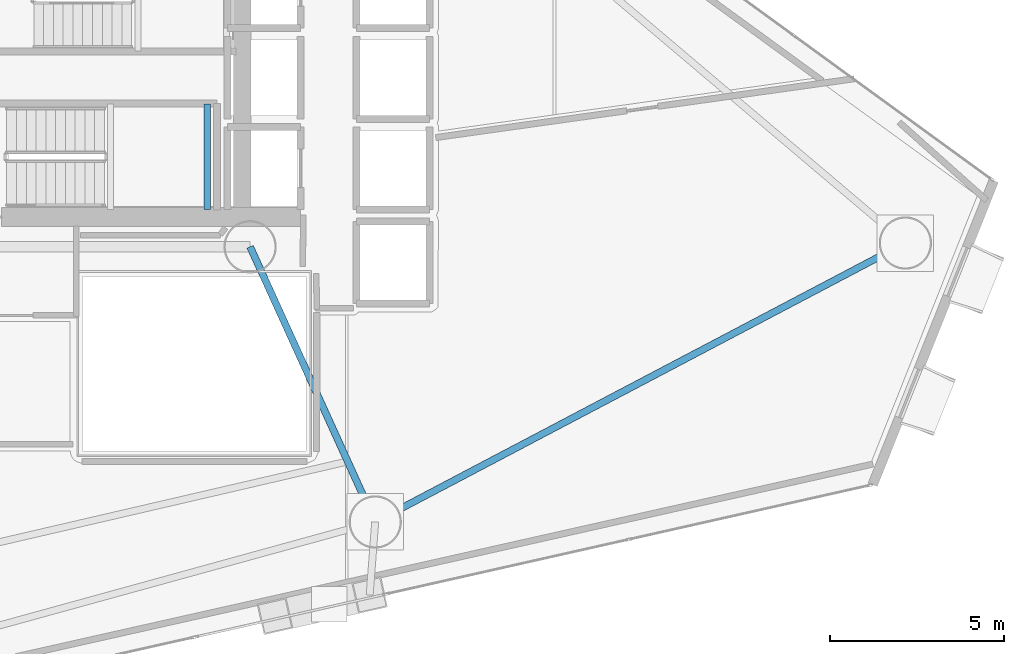
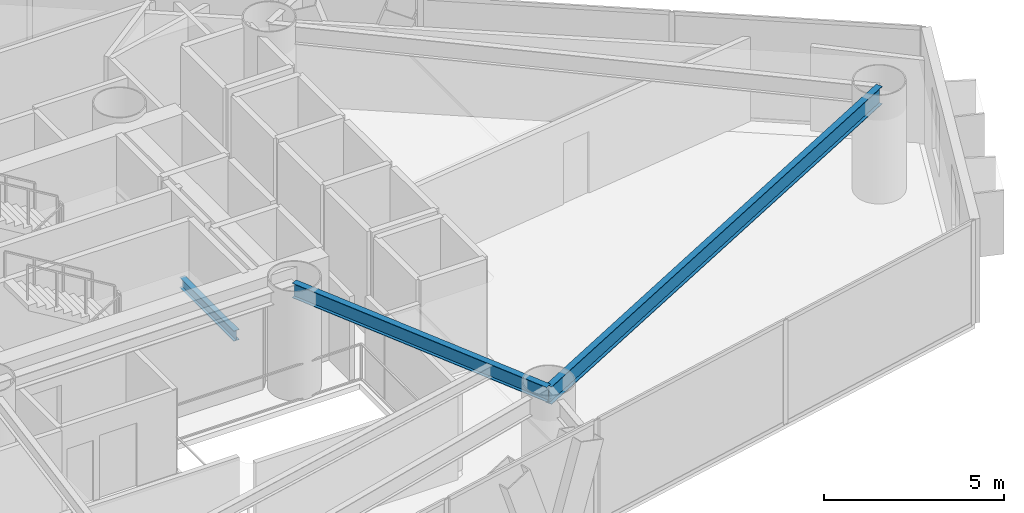
# One storey, part 5 of 18: 3 beams.
"""IFC4 building model written with IfcOpenShell, lengths in metres."""

from ifc_helpers import new_model, si_unit, direction, frame, origin, origin_2d, place, context, subcontext, project, spatial, i_section, extrude, material, material_profile, profile_set, type_object, element, save


model = new_model("IFC4")

# Units and contexts
model_context = context("Model", 3, precision=1e-05, world=origin(), true_north=direction((0.0, 1.0)))
body_context = subcontext(model_context, "Body", "Model", "MODEL_VIEW")
ifc_project = project(units=[si_unit("LENGTHUNIT", "METRE"), si_unit("AREAUNIT", "SQUARE_METRE"), si_unit("VOLUMEUNIT", "CUBIC_METRE"), si_unit("PLANEANGLEUNIT", "RADIAN"), si_unit("MASSUNIT", "GRAM", prefix="KILO")], contexts=[model_context])

# Site, building, storey
site_placement = place(None, origin())
site = spatial("IfcSite", under=ifc_project, at=site_placement, CompositionType="ELEMENT")
building_placement = place(site_placement, origin())
building = spatial("IfcBuilding", under=site, at=building_placement, Name="Qianvela Tower", CompositionType="ELEMENT")
storey_placement = place(building_placement, frame((0.0, 0.0, 97.800048828125)))
storey = spatial("IfcBuildingStorey", under=building, at=storey_placement, Name="L24", CompositionType="ELEMENT", Elevation=97.800048828125)

# Beams
ifc_material_1 = material(Name="Steel Q355B", Category="steel")
ifc_material_profile_1 = material_profile(ifc_material_1, i_section(OverallWidth=0.175048828125, OverallDepth=0.35009765625, WebThickness=0.007080078125, FlangeThickness=0.010986328125, at=origin_2d()), Name="HN350x175x7x11")
ifc_profile_set_1 = profile_set([ifc_material_profile_1], Name="Steel Q355B")
beam_type_1 = type_object("IfcBeamType", Name="BM-HN350-JOIST", PredefinedType="JOIST", material=ifc_profile_set_1)
beam_1_placement = place(storey_placement, frame((37.169921875, 24.919921875, 1.474853515625), z_axis=(0.0, 1.0, 0.0), x_axis=(-1.0, 0.0, 0.0)))
element("IfcBeam", 1, at=beam_1_placement, inside=storey, type_object=beam_type_1, Name="L24 Stair ST-2 Landing Support Beam 1.2", PredefinedType="JOIST", context=body_context, shape_type="SweptSolid", body=[
    extrude(i_section(OverallWidth=0.175048828125, OverallDepth=0.35009765625, WebThickness=0.007080078125, FlangeThickness=0.010986328125, at=origin_2d()), origin(), (0.0, 0.0, 1.0), 3.02001953125),
])
ifc_material_2 = material(Name="Steel Q355B", Category="steel")
ifc_material_profile_2 = material_profile(ifc_material_2, i_section(OverallWidth=0.199951171875, OverallDepth=0.5, WebThickness=0.010009765625, FlangeThickness=0.01611328125, at=origin_2d()), Name="HN500x200x10x16")
ifc_profile_set_2 = profile_set([ifc_material_profile_2], Name="Steel Q355B")
beam_type_2 = type_object("IfcBeamType", Name="BM-HN500-GIRD", PredefinedType="BEAM", material=ifc_profile_set_2)
beam_2_placement = place(storey_placement, frame((38.39990234375, 23.85009765625, 3.26806640625), z_axis=(0.413839009437, -0.910350083357, 0.0), x_axis=(0.910350083357, 0.413839009437, 0.0)))
element("IfcBeam", 2, at=beam_2_placement, inside=storey, type_object=beam_type_2, Name="L24 Radial Primary Floor Girder 6", PredefinedType="BEAM", context=body_context, shape_type="SweptSolid", body=[
    extrude(i_section(OverallWidth=0.199951171875, OverallDepth=0.5, WebThickness=0.010009765625, FlangeThickness=0.01611328125, at=origin_2d()), origin(), (0.0, 0.0, 1.0), 8.67041015625),
])
ifc_material_3 = material(Name="Steel Q355B", Category="steel")
ifc_material_profile_3 = material_profile(ifc_material_3, i_section(OverallWidth=0.199951171875, OverallDepth=0.60009765625, WebThickness=0.010986328125, FlangeThickness=0.01708984375, at=origin_2d()), Name="HN600x200x11x17")
ifc_profile_set_3 = profile_set([ifc_material_profile_3], Name="Steel Q355B")
beam_type_3 = type_object("IfcBeamType", Name="BM-HN600-GIRD", PredefinedType="BEAM", material=ifc_profile_set_3)
beam_3_placement = place(storey_placement, frame((41.988037109375, 15.95703125, 3.218017578125), z_axis=(0.884971229381, 0.465645705627, 0.0), x_axis=(-0.465645705627, 0.884971229381, 0.0)))
element("IfcBeam", 3, at=beam_3_placement, inside=storey, type_object=beam_type_3, Name="L24 Perimeter Ring Spandrel Girder 6", PredefinedType="BEAM", context=body_context, shape_type="SweptSolid", body=[
    extrude(i_section(OverallWidth=0.199951171875, OverallDepth=0.60009765625, WebThickness=0.010986328125, FlangeThickness=0.01708984375, at=origin_2d()), origin(), (0.0, 0.0, 1.0), 17.1826171875),
])

save(model, "model.ifc")
